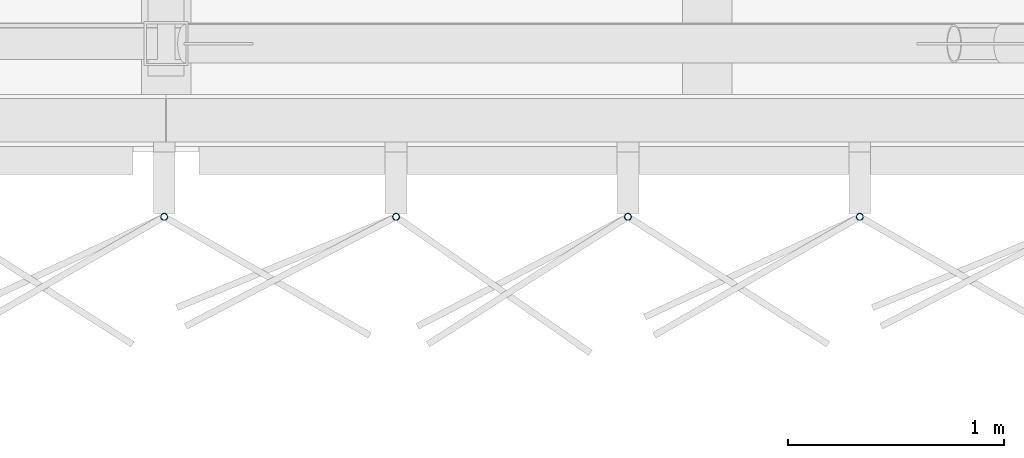
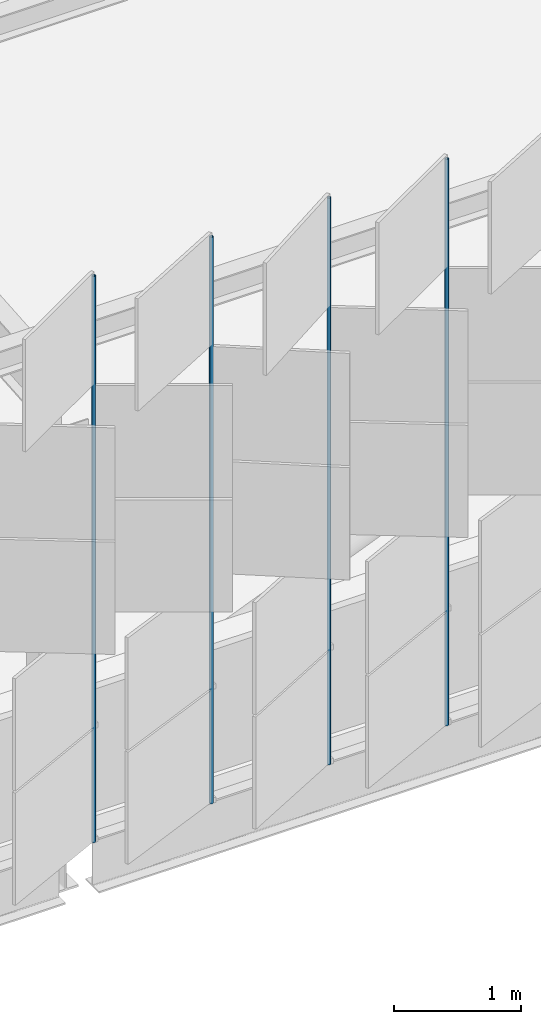
# One storey, part 151 of 483: 4 discrete accessories.
"""IFC4 building model written with IfcOpenShell, lengths in metres."""

from ifc_helpers import new_model, si_unit, direction, frame, origin, origin_2d, place, context, subcontext, project, spatial, hollow_circle, extrude, material, material_profile, profile_set, type_object, element, save


model = new_model("IFC4")

# Units and contexts
model_context = context("Model", 3, precision=1e-05, world=origin(), true_north=direction((0.0, 1.0)))
body_context = subcontext(model_context, "Body", "Model", "MODEL_VIEW")
ifc_project = project(units=[si_unit("LENGTHUNIT", "METRE"), si_unit("AREAUNIT", "SQUARE_METRE"), si_unit("VOLUMEUNIT", "CUBIC_METRE"), si_unit("PLANEANGLEUNIT", "RADIAN"), si_unit("MASSUNIT", "GRAM", prefix="KILO")], contexts=[model_context])

# Site, building, storey
site_placement = place(None, origin())
site = spatial("IfcSite", under=ifc_project, at=site_placement, CompositionType="ELEMENT")
building_placement = place(site_placement, origin())
building = spatial("IfcBuilding", under=site, at=building_placement, Name="Parallax Yard Mobility Hub", CompositionType="ELEMENT")
storey_placement = place(building_placement, frame((0.0, 0.0, 13.199951171875)))
storey = spatial("IfcBuildingStorey", under=building, at=storey_placement, Name="L04", CompositionType="ELEMENT", Elevation=13.199951171875)

# Discrete accessories
ifc_material = material(Name="Steel ASTM A500 Gr C, hot-dip galvanised", Category="steel")
ifc_material_profile = material_profile(ifc_material, hollow_circle(Radius=0.016845703125, WallThickness=0.003173828125, at=origin_2d()), Name="CHS 33.7x3.2")
ifc_profile_set = profile_set([ifc_material_profile], Name="Steel ASTM A500 Gr C, hot-dip galvanised")
discrete_accessory_type = type_object("IfcDiscreteAccessoryType", Name="Hinge post CHS 33.7x3.2", PredefinedType="BRACKET", material=ifc_profile_set)
for number, where, z_axis, x_axis, name in (
    (1, (112.490966796875, 112.199951171875, 0.0), (0.0, 0.0, 1.0), (1.0, 0.0, 0.0), "Hinge post bay 11.1 level L04"),
    (2, (113.5625, 112.199951171875, 0.0), (0.0, 0.0, 1.0), (1.0, 0.0, 0.0), "Hinge post bay 11.2 level L04"),
    (3, (114.634033203125, 112.199951171875, 0.0), (0.0, 0.0, 1.0), (1.0, 0.0, 0.0), "Hinge post bay 11.3 level L04"),
    (4, (115.70556640625, 112.199951171875, 0.0), (0.0, 0.0, 1.0), (1.0, 0.0, 0.0), "Hinge post bay 11.4 level L04"),
):
    element("IfcDiscreteAccessory", number, at=place(storey_placement, frame(where, z_axis=z_axis, x_axis=x_axis)), inside=storey, type_object=discrete_accessory_type, Name=name, PredefinedType="BRACKET", context=body_context, shape_type="SweptSolid", body=[
        extrude(hollow_circle(Radius=0.016845703125, WallThickness=0.003173828125, at=origin_2d()), origin(), (0.0, 0.0, 1.0), 5.449951171875),
    ])

save(model, "model.ifc")
